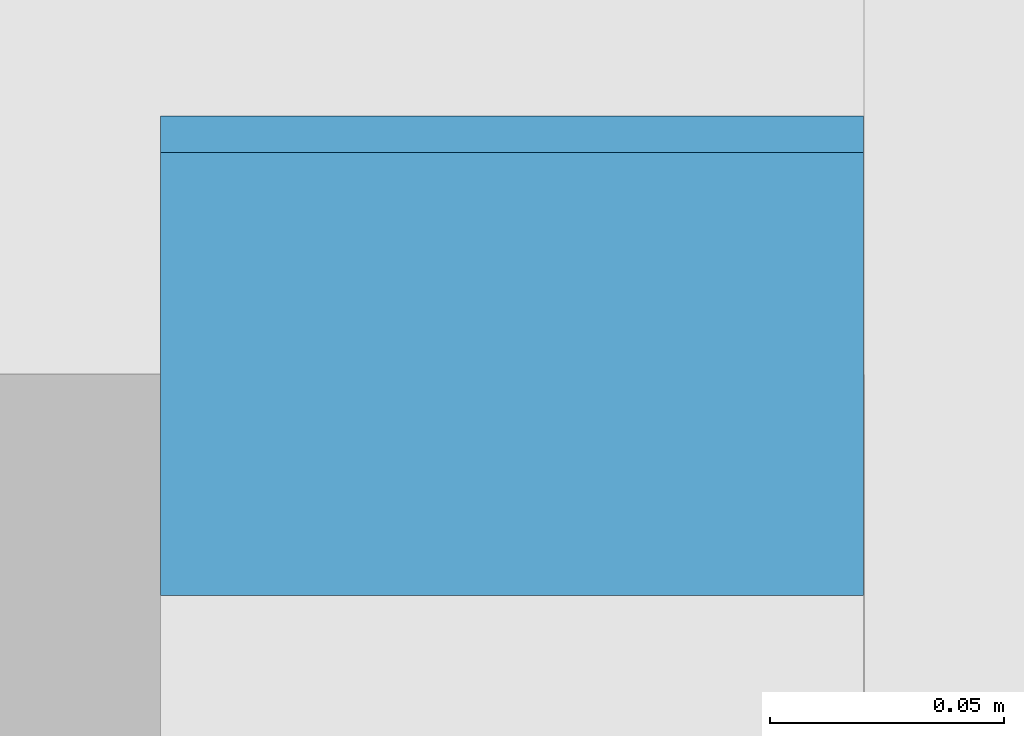
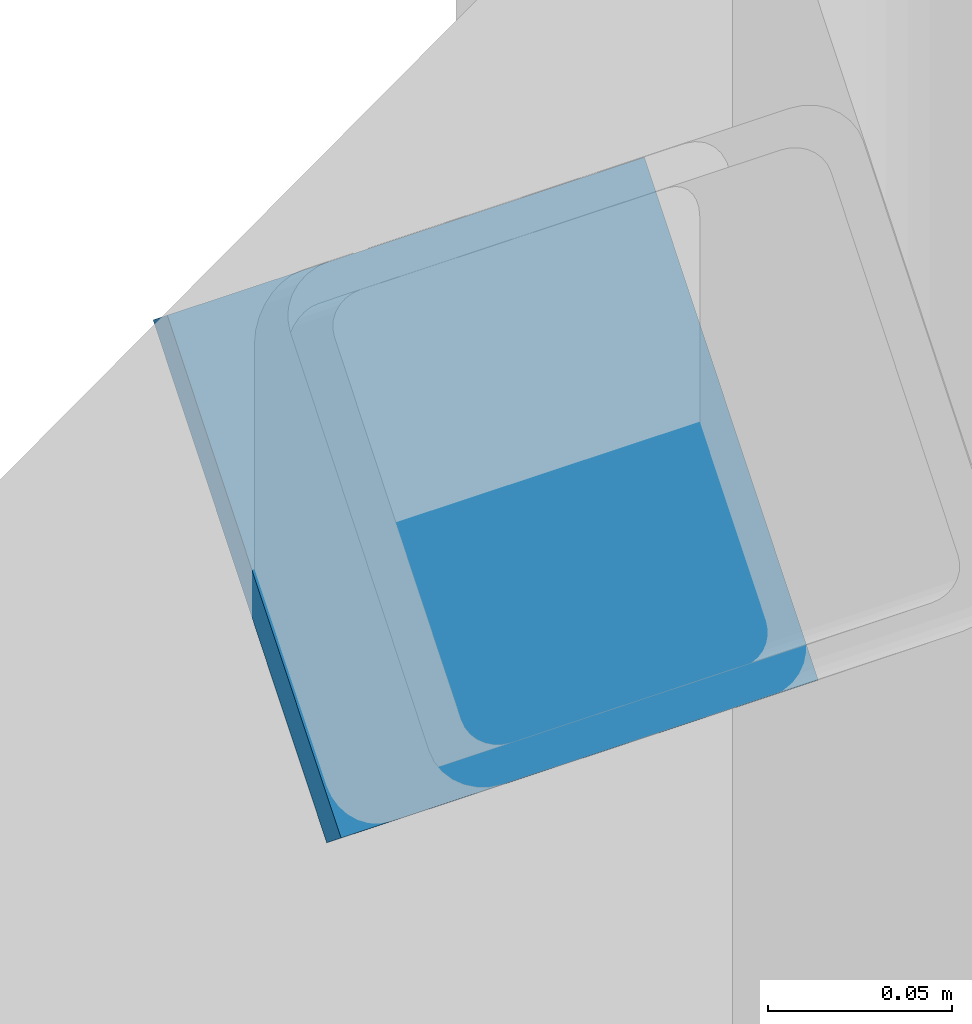
# One storey, part 104 of 149: 1 discrete accessory.
"""IFC4 building model written with IfcOpenShell, lengths in metres."""

from ifc_helpers import new_model, si_unit, direction, frame, origin, origin_2d, place, context, subcontext, project, spatial, rectangle, extrude, material, material_profile, profile_set, type_object, element, save


model = new_model("IFC4")

# Units and contexts
model_context = context("Model", 3, precision=1e-05, world=origin(), true_north=direction((0.0, 1.0)))
body_context = subcontext(model_context, "Body", "Model", "MODEL_VIEW")
ifc_project = project(units=[si_unit("LENGTHUNIT", "METRE"), si_unit("AREAUNIT", "SQUARE_METRE"), si_unit("VOLUMEUNIT", "CUBIC_METRE"), si_unit("PLANEANGLEUNIT", "RADIAN"), si_unit("MASSUNIT", "GRAM", prefix="KILO")], contexts=[model_context])

# Site, building, storey
site_placement = place(None, origin())
site = spatial("IfcSite", under=ifc_project, at=site_placement, CompositionType="ELEMENT")
building_placement = place(site_placement, origin())
building = spatial("IfcBuilding", under=site, at=building_placement, Name="Kallimachos Central Library", CompositionType="ELEMENT")
storey_placement = place(building_placement, frame((0.0, 0.0, 9.89990234375)))
storey = spatial("IfcBuildingStorey", under=building, at=storey_placement, Name="L02", CompositionType="ELEMENT", Elevation=9.89990234375)

# Discrete accessory
ifc_material = material(Name="Steel S355J2", Category="steel")
ifc_material_profile = material_profile(ifc_material, rectangle(XDim=0.14990234375, YDim=0.14990234375, at=origin_2d()), Name="End cap plate 10, 150x150")
ifc_profile_set = profile_set([ifc_material_profile], Name="Steel S355J2")
discrete_accessory_type = type_object("IfcDiscreteAccessoryType", Name="End cap plate 10, 150x150", PredefinedType="BRACKET", material=ifc_profile_set)
discrete_accessory_placement = place(storey_placement, frame((13.77490234375, 36.0078125, 0.393798828125), z_axis=(0.0, -0.776114000116, 0.630592625094), x_axis=(1.0, 0.0, 0.0)))
element("IfcDiscreteAccessory", 1, at=discrete_accessory_placement, inside=storey, type_object=discrete_accessory_type, Name="End cap plate", PredefinedType="BRACKET", context=body_context, shape_type="SweptSolid", body=[
    extrude(rectangle(XDim=0.14990234375, YDim=0.14990234375, at=origin_2d()), origin(), (0.0, 0.0, 1.0), 0.010009765625),
])

save(model, "model.ifc")
